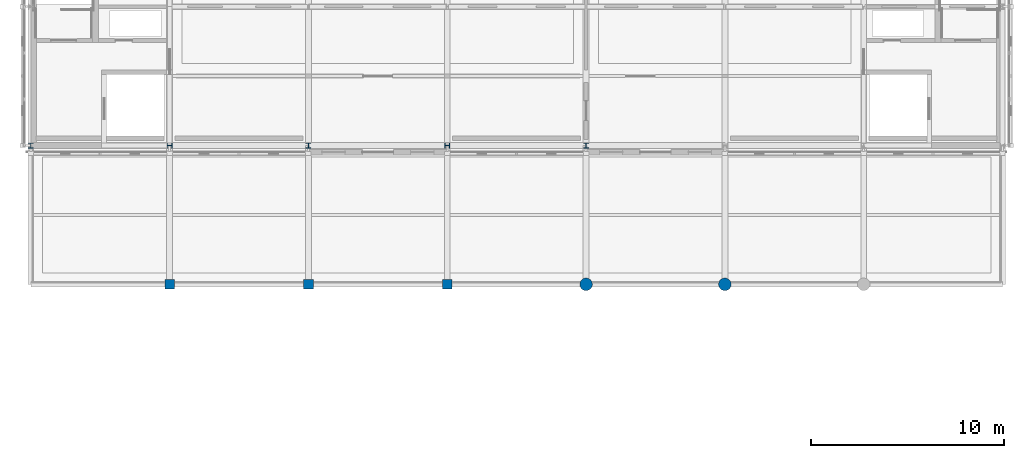
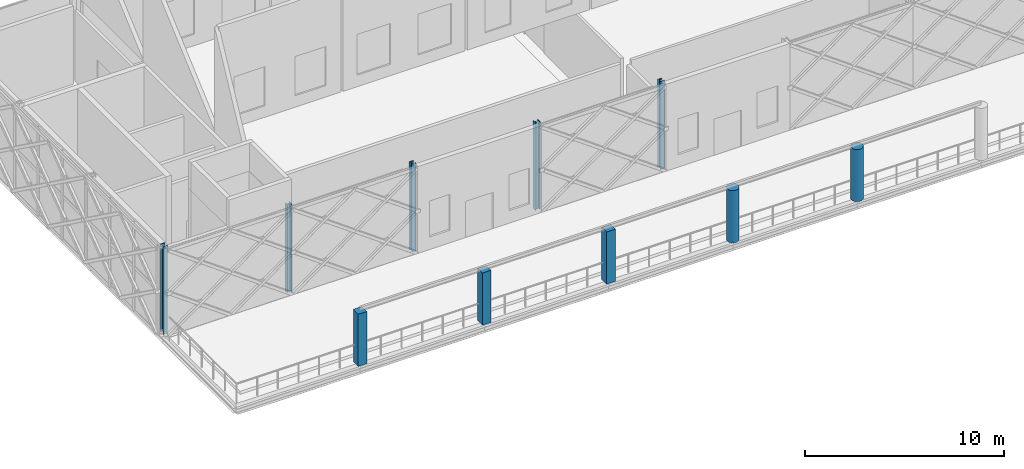
# One storey, part 1 of 31: 10 columns.
"""IFC4 building model written with IfcOpenShell, lengths in metres."""

from ifc_helpers import new_model, si_unit, direction, frame, origin, origin_2d, place, context, subcontext, project, spatial, rectangle, circle, i_section, extrude, material, material_profile, profile_set, type_object, element, save


model = new_model("IFC4")

# Units and contexts
model_context = context("Model", 3, precision=1e-05, world=origin(), true_north=direction((0.0, 1.0)))
body_context = subcontext(model_context, "Body", "Model", "MODEL_VIEW")
ifc_project = project(units=[si_unit("LENGTHUNIT", "METRE"), si_unit("AREAUNIT", "SQUARE_METRE"), si_unit("VOLUMEUNIT", "CUBIC_METRE"), si_unit("PLANEANGLEUNIT", "RADIAN"), si_unit("MASSUNIT", "GRAM", prefix="KILO")], contexts=[model_context])

# Site, building, storey
site_placement = place(None, origin())
site = spatial("IfcSite", under=ifc_project, at=site_placement, CompositionType="ELEMENT")
building_placement = place(site_placement, origin())
building = spatial("IfcBuilding", under=site, at=building_placement, Name="Zlatovets Crest Museum", CompositionType="ELEMENT")
storey_placement = place(building_placement, frame((0.0, 0.0, 25.199951171875)))
storey = spatial("IfcBuildingStorey", under=building, at=storey_placement, Name="L05", CompositionType="ELEMENT", Elevation=25.199951171875)

# Columns
ifc_material_1 = material(Name="Structural steel S355J2", Category="steel")
ifc_material_profile_1 = material_profile(ifc_material_1, i_section(OverallWidth=0.260009765625, OverallDepth=0.260009765625, WebThickness=0.010009765625, FlangeThickness=0.017578125, FilletRadius=0.02392578125, at=origin_2d()), Name="HEB 260")
ifc_profile_set_1 = profile_set([ifc_material_profile_1], Name="Structural steel S355J2")
column_type_1 = type_object("IfcColumnType", Name="Col_C-10", PredefinedType="COLUMN", material=ifc_profile_set_1)
for number, where, z_axis, x_axis, name in (
    (1, (57.60009765625, 93.60009765625, 0.0), (0.0, 0.0, 1.0), (1.0, 0.0, 0.0), "V1 L05 Column (57.6, 93.6)"),
    (2, (64.800048828125, 93.60009765625, 0.0), (0.0, 0.0, 1.0), (0.0, 1.0, 0.0), "V1 L05 Column (64.8, 93.6)"),
    (3, (72.0, 93.60009765625, 0.0), (0.0, 0.0, 1.0), (1.0, 0.0, 0.0), "V1 L05 Column (72.0, 93.6)"),
    (4, (79.199951171875, 93.60009765625, 0.0), (0.0, 0.0, 1.0), (0.0, 1.0, 0.0), "V1 L05 Column (79.2, 93.6)"),
    (5, (86.39990234375, 93.60009765625, 0.0), (0.0, 0.0, 1.0), (1.0, 0.0, 0.0), "V1 L05 Column (86.4, 93.6)"),
):
    element("IfcColumn", number, at=place(storey_placement, frame(where, z_axis=z_axis, x_axis=x_axis)), inside=storey, type_object=column_type_1, Name=name, PredefinedType="COLUMN", context=body_context, shape_type="SweptSolid", body=[
        extrude(i_section(OverallWidth=0.260009765625, OverallDepth=0.260009765625, WebThickness=0.010009765625, FlangeThickness=0.017578125, FilletRadius=0.02392578125, at=origin_2d()), origin(), (0.0, 0.0, 1.0), 5.400146484375),
    ])
ifc_material_2 = material(Name="Concrete C35/45", Category="concrete")
ifc_material_profile_2 = material_profile(ifc_material_2, rectangle(XDim=0.5, YDim=0.5, at=origin_2d()), Name="RC 500x500")
ifc_profile_set_2 = profile_set([ifc_material_profile_2], Name="Concrete C35/45")
column_type_2 = type_object("IfcColumnType", Name="Col_C-21", PredefinedType="COLUMN", material=ifc_profile_set_2)
for number, where, z_axis, x_axis, name in (
    (6, (64.800048828125, 86.39990234375, 0.0), (0.0, 0.0, 1.0), (1.0, 0.0, 0.0), "L05 Belvedere Terrace Colonnade Pier (64.8, 86.4)"),
    (7, (72.0, 86.39990234375, 0.0), (0.0, 0.0, 1.0), (1.0, 0.0, 0.0), "L05 Belvedere Terrace Colonnade Pier (72.0, 86.4)"),
    (8, (79.199951171875, 86.39990234375, 0.0), (0.0, 0.0, 1.0), (1.0, 0.0, 0.0), "L05 Belvedere Terrace Colonnade Pier (79.2, 86.4)"),
):
    element("IfcColumn", number, at=place(storey_placement, frame(where, z_axis=z_axis, x_axis=x_axis)), inside=storey, type_object=column_type_2, Name=name, PredefinedType="COLUMN", context=body_context, shape_type="SweptSolid", body=[
        extrude(rectangle(XDim=0.5, YDim=0.5, at=origin_2d()), origin(), (0.0, 0.0, 1.0), 3.199951171875),
    ])
ifc_material_profile_3 = material_profile(ifc_material_2, circle(Radius=0.324951171875, at=origin_2d()), Name="RC D650")
ifc_profile_set_3 = profile_set([ifc_material_profile_3], Name="Concrete C35/45")
column_type_3 = type_object("IfcColumnType", Name="Col_C-22", PredefinedType="COLUMN", material=ifc_profile_set_3)
for number, where, z_axis, x_axis, name in (
    (9, (86.39990234375, 86.39990234375, 0.0), (0.0, 0.0, 1.0), (1.0, 0.0, 0.0), "L05 Belvedere Terrace Colonnade Pier (86.4, 86.4)"),
    (10, (93.60009765625, 86.39990234375, 0.0), (0.0, 0.0, 1.0), (1.0, 0.0, 0.0), "L05 Belvedere Terrace Colonnade Pier (93.6, 86.4)"),
):
    element("IfcColumn", number, at=place(storey_placement, frame(where, z_axis=z_axis, x_axis=x_axis)), inside=storey, type_object=column_type_3, Name=name, PredefinedType="COLUMN", context=body_context, shape_type="SweptSolid", body=[
        extrude(circle(Radius=0.324951171875, at=origin_2d()), origin(), (0.0, 0.0, 1.0), 3.199951171875),
    ])

save(model, "model.ifc")
